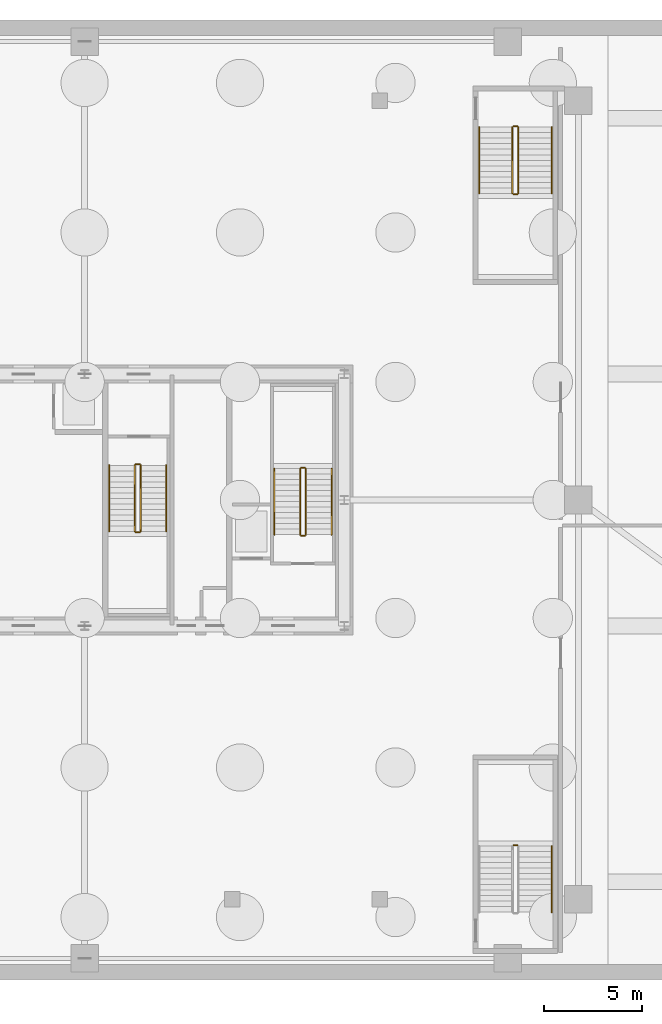
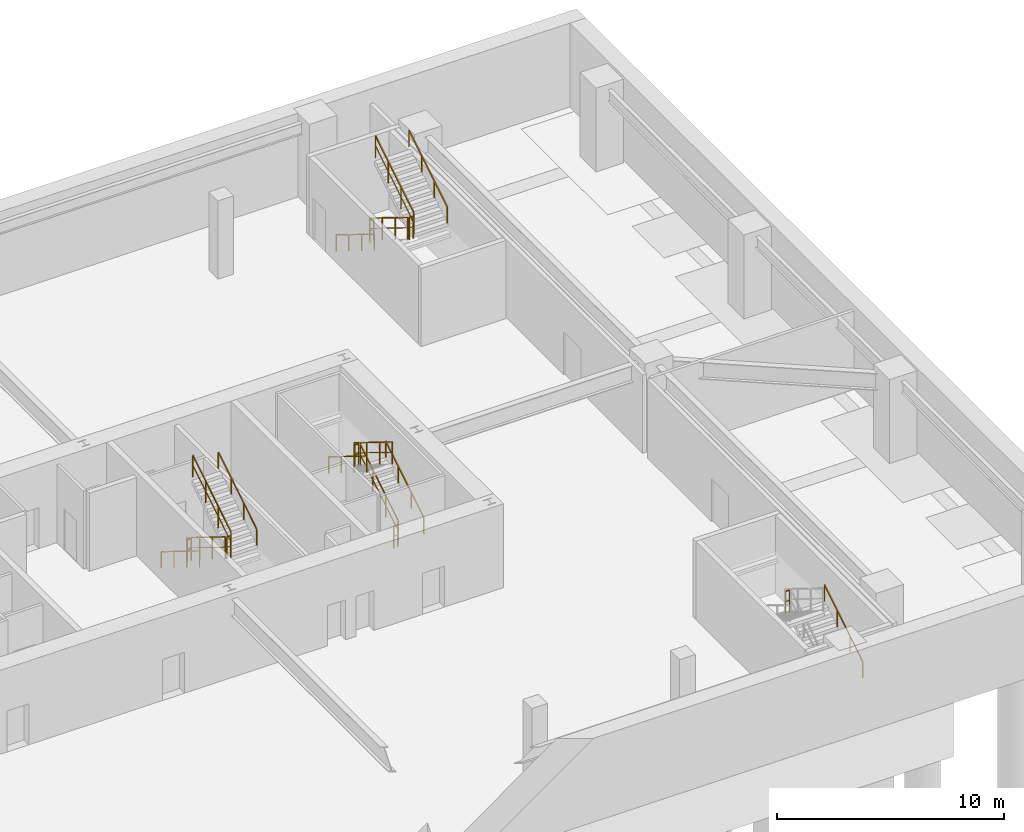
# One storey, part 9 of 10: 20 railings.
"""IFC4 building model written with IfcOpenShell, lengths in metres."""

from ifc_helpers import new_model, si_unit, direction, frame, origin, origin_2d, place, context, subcontext, project, spatial, rectangle, extrude, source, transform, mapped, material, layer, layer_set, type_object, element, save


model = new_model("IFC4")

# Units and contexts
model_context = context("Model", 3, precision=1e-05, world=origin(), true_north=direction((0.0, 1.0)))
body_context = subcontext(model_context, "Body", "Model", "MODEL_VIEW")
ifc_project = project(units=[si_unit("LENGTHUNIT", "METRE"), si_unit("AREAUNIT", "SQUARE_METRE"), si_unit("VOLUMEUNIT", "CUBIC_METRE"), si_unit("PLANEANGLEUNIT", "RADIAN"), si_unit("MASSUNIT", "GRAM", prefix="KILO"), si_unit("THERMODYNAMICTEMPERATUREUNIT", "KELVIN"), si_unit("POWERUNIT", "WATT")], contexts=[model_context])

# Site, building, storey
site_placement = place(None, origin())
site = spatial("IfcSite", under=ifc_project, at=site_placement, CompositionType="ELEMENT")
building_placement = place(site_placement, origin())
building = spatial("IfcBuilding", under=site, at=building_placement, Name="Yuzanri Waterfront Tower", CompositionType="ELEMENT")
storey_placement = place(building_placement, frame((0.0, 0.0, -9.0)))
storey = spatial("IfcBuildingStorey", under=building, at=storey_placement, Name="B02", CompositionType="ELEMENT", Elevation=-9.0)

# Railings
ifc_material_1 = material(Name="Painted Galvanized Fire Steel", Category="steel")
ifc_layer_1 = layer(ifc_material_1, 0.06005859375)
ifc_layer_set_1 = layer_set([ifc_layer_1], Name="Painted Galvanized Fire Steel")
railing_type_1 = type_object("IfcRailingType", Name="Painted Steel Stairwell Guardrail 1120", PredefinedType="GUARDRAIL", material=ifc_layer_set_1)
shared_shape_1 = source(origin(), body_context, "Body", "SweptSolid", [
    extrude(rectangle(XDim=0.050048828125, YDim=0.050048828125, at=origin_2d()), frame((0.0, 0.0, 1.1748046875), z_axis=(0.0, 0.850606129759, 0.525803396734), x_axis=(-1.0, 0.0, 0.0)), (0.0, 0.0, 1.0), 3.949951171875),
    extrude(rectangle(XDim=0.035888671875, YDim=0.030029296875, at=origin_2d()), frame((0.0, 0.0, 0.6240234375), z_axis=(0.0, 0.850606129759, 0.525803396734), x_axis=(-1.0, 0.0, 0.0)), (0.0, 0.0, 1.0), 3.949951171875),
    extrude(rectangle(XDim=0.0458984375, YDim=0.0458984375, at=origin_2d()), origin(), (0.0, 0.0, 1.0), 1.14990234375),
    extrude(rectangle(XDim=0.0458984375, YDim=0.0458984375, at=origin_2d()), frame((0.0, 1.119873046875, 0.6923828125)), (0.0, 0.0, 1.0), 1.14990234375),
    extrude(rectangle(XDim=0.0458984375, YDim=0.0458984375, at=origin_2d()), frame((0.0, 2.239990234375, 1.384521484375)), (0.0, 0.0, 1.0), 1.14990234375),
    extrude(rectangle(XDim=0.0458984375, YDim=0.0458984375, at=origin_2d()), frame((0.0, 3.35986328125, 2.076904296875)), (0.0, 0.0, 1.0), 1.14990234375),
])
railing_1_placement = place(storey_placement, frame((48.25, 24.0400390625, 0.173095703125)))
element("IfcRailing", 1, at=railing_1_placement, inside=storey, type_object=railing_type_1, Name="B02 ST-02 stair guard 1", PredefinedType="GUARDRAIL", context=body_context, shape_type="MappedRepresentation", body=[
    mapped(shared_shape_1, transform((0.0, 0.0, 0.0), scale=1.0)),
])
shared_shape_2 = source(origin(), body_context, "Body", "SweptSolid", [
    extrude(rectangle(XDim=0.050048828125, YDim=0.050048828125, at=origin_2d()), frame((0.0, 0.0, 1.1748046875), z_axis=(-1.0, 0.0, 0.0), x_axis=(0.0, -1.0, 0.0)), (0.0, 0.0, 1.0), 0.199951171875),
    extrude(rectangle(XDim=0.035888671875, YDim=0.030029296875, at=origin_2d()), frame((0.0, 0.0, 0.6240234375), z_axis=(-1.0, 0.0, 0.0), x_axis=(0.0, -1.0, 0.0)), (0.0, 0.0, 1.0), 0.199951171875),
    extrude(rectangle(XDim=0.0458984375, YDim=0.0458984375, at=origin_2d()), origin(), (0.0, 0.0, 1.0), 1.14990234375),
    extrude(rectangle(XDim=0.0458984375, YDim=0.0458984375, at=origin_2d()), frame((-0.199951171875, 0.0, 0.0)), (0.0, 0.0, 1.0), 1.14990234375),
])
for number, where, name in (
    (2, (48.199951171875, 27.449951171875, 2.25), "B02 ST-02 stair guard 2"),
    (3, (48.199951171875, 23.989990234375, 0.0), "B02 ST-02 stair guard 4"),
    (4, (59.0, 8.260009765625, 2.25), "B02 PST-02 stair guard 2"),
):
    element("IfcRailing", number, at=place(storey_placement, frame(where)), inside=storey, type_object=railing_type_1, Name=name, PredefinedType="GUARDRAIL", context=body_context, shape_type="MappedRepresentation", body=[
        mapped(shared_shape_2, transform((0.0, 0.0, 0.0), scale=1.0)),
    ])
shared_shape_3 = source(origin(), body_context, "Body", "SweptSolid", [
    extrude(rectangle(XDim=0.050048828125, YDim=0.050048828125, at=origin_2d()), frame((0.0, 0.0, 1.1748046875), z_axis=(0.0, -0.850606129759, 0.525803396734), x_axis=(1.0, 0.0, 0.0)), (0.0, 0.0, 1.0), 3.949951171875),
    extrude(rectangle(XDim=0.035888671875, YDim=0.030029296875, at=origin_2d()), frame((0.0, 0.0, 0.6240234375), z_axis=(0.0, -0.850606129759, 0.525803396734), x_axis=(1.0, 0.0, 0.0)), (0.0, 0.0, 1.0), 3.949951171875),
    extrude(rectangle(XDim=0.0458984375, YDim=0.0458984375, at=origin_2d()), origin(), (0.0, 0.0, 1.0), 1.14990234375),
    extrude(rectangle(XDim=0.0458984375, YDim=0.0458984375, at=origin_2d()), frame((0.0, -1.119873046875, 0.6923828125)), (0.0, 0.0, 1.0), 1.14990234375),
    extrude(rectangle(XDim=0.0458984375, YDim=0.0458984375, at=origin_2d()), frame((0.0, -2.239990234375, 1.384521484375)), (0.0, 0.0, 1.0), 1.14990234375),
    extrude(rectangle(XDim=0.0458984375, YDim=0.0458984375, at=origin_2d()), frame((0.0, -3.35986328125, 2.076904296875)), (0.0, 0.0, 1.0), 1.14990234375),
])
railing_2_placement = place(storey_placement, frame((47.949951171875, 27.39990234375, 2.423095703125)))
element("IfcRailing", 5, at=railing_2_placement, inside=storey, type_object=railing_type_1, Name="B02 ST-02 stair guard 3", PredefinedType="GUARDRAIL", context=body_context, shape_type="MappedRepresentation", body=[
    mapped(shared_shape_3, transform((0.0, 0.0, 0.0), scale=1.0)),
])
ifc_material_2 = material(Name="Anodized Architectural Bronze", Category="metal")
ifc_layer_2 = layer(ifc_material_2, 0.050048828125)
ifc_layer_set_2 = layer_set([ifc_layer_2], Name="Anodized Architectural Bronze")
railing_type_2 = type_object("IfcRailingType", Name="Brushed Bronze Stair Pitch Handrail 920", PredefinedType="HANDRAIL", material=ifc_layer_set_2)
shared_shape_4 = source(origin(), body_context, "Body", "SweptSolid", [
    extrude(rectangle(XDim=0.050048828125, YDim=0.050048828125, at=origin_2d()), frame((0.0, 0.0, 0.875), z_axis=(0.0, 0.850606129759, 0.525803396734), x_axis=(-1.0, 0.0, 0.0)), (0.0, 0.0, 1.0), 3.949951171875),
    extrude(rectangle(XDim=0.0458984375, YDim=0.0458984375, at=origin_2d()), origin(), (0.0, 0.0, 1.0), 0.849853515625),
    extrude(rectangle(XDim=0.0458984375, YDim=0.0458984375, at=origin_2d()), frame((0.0, 1.119873046875, 0.6923828125)), (0.0, 0.0, 1.0), 0.849853515625),
    extrude(rectangle(XDim=0.0458984375, YDim=0.0458984375, at=origin_2d()), frame((0.0, 2.239990234375, 1.384521484375)), (0.0, 0.0, 1.0), 0.849853515625),
    extrude(rectangle(XDim=0.0458984375, YDim=0.0458984375, at=origin_2d()), frame((0.0, 3.35986328125, 2.076904296875)), (0.0, 0.0, 1.0), 0.849853515625),
])
for number, where, name in (
    (6, (49.550048828125, 24.0400390625, 0.173095703125), "B02 ST-02 stair handrail 1"),
    (7, (60.75, 4.85009765625, 0.173095703125), "B02 PST-02 stair handrail 1"),
):
    element("IfcRailing", number, at=place(storey_placement, frame(where)), inside=storey, type_object=railing_type_2, Name=name, PredefinedType="HANDRAIL", context=body_context, shape_type="MappedRepresentation", body=[
        mapped(shared_shape_4, transform((0.0, 0.0, 0.0), scale=1.0)),
    ])
shared_shape_5 = source(origin(), body_context, "Body", "SweptSolid", [
    extrude(rectangle(XDim=0.050048828125, YDim=0.050048828125, at=origin_2d()), frame((0.0, 0.0, 0.875), z_axis=(0.0, -0.850606129759, 0.525803396734), x_axis=(1.0, 0.0, 0.0)), (0.0, 0.0, 1.0), 3.949951171875),
    extrude(rectangle(XDim=0.0458984375, YDim=0.0458984375, at=origin_2d()), origin(), (0.0, 0.0, 1.0), 0.849853515625),
    extrude(rectangle(XDim=0.0458984375, YDim=0.0458984375, at=origin_2d()), frame((0.0, -1.119873046875, 0.6923828125)), (0.0, 0.0, 1.0), 0.849853515625),
    extrude(rectangle(XDim=0.0458984375, YDim=0.0458984375, at=origin_2d()), frame((0.0, -2.239990234375, 1.384521484375)), (0.0, 0.0, 1.0), 0.849853515625),
    extrude(rectangle(XDim=0.0458984375, YDim=0.0458984375, at=origin_2d()), frame((0.0, -3.35986328125, 2.076904296875)), (0.0, 0.0, 1.0), 0.849853515625),
])
railing_3_placement = place(storey_placement, frame((46.64990234375, 27.39990234375, 2.423095703125)))
element("IfcRailing", 8, at=railing_3_placement, inside=storey, type_object=railing_type_2, Name="B02 ST-02 stair handrail 2", PredefinedType="HANDRAIL", context=body_context, shape_type="MappedRepresentation", body=[
    mapped(shared_shape_5, transform((0.0, 0.0, 0.0), scale=1.0)),
])
shared_shape_6 = source(origin(), body_context, "Body", "SweptSolid", [
    extrude(rectangle(XDim=0.050048828125, YDim=0.050048828125, at=origin_2d()), frame((0.0, 0.0, 1.1748046875), z_axis=(0.0, -0.850623216509, 0.525775754039), x_axis=(1.0, 0.0, 0.0)), (0.0, 0.0, 1.0), 3.9501953125),
    extrude(rectangle(XDim=0.035888671875, YDim=0.030029296875, at=origin_2d()), frame((0.0, 0.0, 0.6240234375), z_axis=(0.0, -0.850623216509, 0.525775754039), x_axis=(1.0, 0.0, 0.0)), (0.0, 0.0, 1.0), 3.9501953125),
    extrude(rectangle(XDim=0.0458984375, YDim=0.0458984375, at=origin_2d()), origin(), (0.0, 0.0, 1.0), 1.14990234375),
    extrude(rectangle(XDim=0.0458984375, YDim=0.0458984375, at=origin_2d()), frame((0.0, -1.1201171875, 0.6923828125)), (0.0, 0.0, 1.0), 1.14990234375),
    extrude(rectangle(XDim=0.0458984375, YDim=0.0458984375, at=origin_2d()), frame((0.0, -2.239990234375, 1.384521484375)), (0.0, 0.0, 1.0), 1.14990234375),
    extrude(rectangle(XDim=0.0458984375, YDim=0.0458984375, at=origin_2d()), frame((0.0, -3.360107421875, 2.076904296875)), (0.0, 0.0, 1.0), 1.14990234375),
])
for number, where, name in (
    (9, (39.550048828125, 27.56005859375, 0.173095703125), "B02 ST-03 stair guard 1"),
    (10, (58.75, 44.75, 0.173095703125), "B02 PST-03 stair guard 1"),
):
    element("IfcRailing", number, at=place(storey_placement, frame(where)), inside=storey, type_object=railing_type_1, Name=name, PredefinedType="GUARDRAIL", context=body_context, shape_type="MappedRepresentation", body=[
        mapped(shared_shape_6, transform((0.0, 0.0, 0.0), scale=1.0)),
    ])
shared_shape_7 = source(origin(), body_context, "Body", "SweptSolid", [
    extrude(rectangle(XDim=0.050048828125, YDim=0.050048828125, at=origin_2d()), frame((0.0, 0.0, 1.1748046875), z_axis=(1.0, 0.0, 0.0), x_axis=(0.0, 1.0, 0.0)), (0.0, 0.0, 1.0), 0.199951171875),
    extrude(rectangle(XDim=0.035888671875, YDim=0.030029296875, at=origin_2d()), frame((0.0, 0.0, 0.6240234375), z_axis=(1.0, 0.0, 0.0), x_axis=(0.0, 1.0, 0.0)), (0.0, 0.0, 1.0), 0.199951171875),
    extrude(rectangle(XDim=0.0458984375, YDim=0.0458984375, at=origin_2d()), origin(), (0.0, 0.0, 1.0), 1.14990234375),
    extrude(rectangle(XDim=0.0458984375, YDim=0.0458984375, at=origin_2d()), frame((0.199951171875, 0.0, 0.0)), (0.0, 0.0, 1.0), 1.14990234375),
])
for number, where, name in (
    (11, (39.60009765625, 24.14990234375, 2.25), "B02 ST-03 stair guard 2"),
    (12, (39.60009765625, 27.610107421875, 0.0), "B02 ST-03 stair guard 4"),
    (13, (58.800048828125, 41.340087890625, 2.25), "B02 PST-03 stair guard 2"),
    (14, (58.800048828125, 44.800048828125, 0.0), "B02 PST-03 stair guard 4"),
):
    element("IfcRailing", number, at=place(storey_placement, frame(where)), inside=storey, type_object=railing_type_1, Name=name, PredefinedType="GUARDRAIL", context=body_context, shape_type="MappedRepresentation", body=[
        mapped(shared_shape_7, transform((0.0, 0.0, 0.0), scale=1.0)),
    ])
shared_shape_8 = source(origin(), body_context, "Body", "SweptSolid", [
    extrude(rectangle(XDim=0.050048828125, YDim=0.050048828125, at=origin_2d()), frame((0.0, 0.0, 1.1748046875), z_axis=(0.0, 0.850623216509, 0.525775754039), x_axis=(-1.0, 0.0, 0.0)), (0.0, 0.0, 1.0), 3.9501953125),
    extrude(rectangle(XDim=0.035888671875, YDim=0.030029296875, at=origin_2d()), frame((0.0, 0.0, 0.6240234375), z_axis=(0.0, 0.850623216509, 0.525775754039), x_axis=(-1.0, 0.0, 0.0)), (0.0, 0.0, 1.0), 3.9501953125),
    extrude(rectangle(XDim=0.0458984375, YDim=0.0458984375, at=origin_2d()), origin(), (0.0, 0.0, 1.0), 1.14990234375),
    extrude(rectangle(XDim=0.0458984375, YDim=0.0458984375, at=origin_2d()), frame((0.0, 1.1201171875, 0.6923828125)), (0.0, 0.0, 1.0), 1.14990234375),
    extrude(rectangle(XDim=0.0458984375, YDim=0.0458984375, at=origin_2d()), frame((0.0, 2.239990234375, 1.384521484375)), (0.0, 0.0, 1.0), 1.14990234375),
    extrude(rectangle(XDim=0.0458984375, YDim=0.0458984375, at=origin_2d()), frame((0.0, 3.360107421875, 2.076904296875)), (0.0, 0.0, 1.0), 1.14990234375),
])
for number, where, name in (
    (15, (39.85009765625, 24.199951171875, 2.423095703125), "B02 ST-03 stair guard 3"),
    (16, (59.050048828125, 41.389892578125, 2.423095703125), "B02 PST-03 stair guard 3"),
):
    element("IfcRailing", number, at=place(storey_placement, frame(where)), inside=storey, type_object=railing_type_1, Name=name, PredefinedType="GUARDRAIL", context=body_context, shape_type="MappedRepresentation", body=[
        mapped(shared_shape_8, transform((0.0, 0.0, 0.0), scale=1.0)),
    ])
shared_shape_9 = source(origin(), body_context, "Body", "SweptSolid", [
    extrude(rectangle(XDim=0.050048828125, YDim=0.050048828125, at=origin_2d()), frame((0.0, 0.0, 0.875), z_axis=(0.0, -0.850623216509, 0.525775754039), x_axis=(1.0, 0.0, 0.0)), (0.0, 0.0, 1.0), 3.9501953125),
    extrude(rectangle(XDim=0.0458984375, YDim=0.0458984375, at=origin_2d()), origin(), (0.0, 0.0, 1.0), 0.849853515625),
    extrude(rectangle(XDim=0.0458984375, YDim=0.0458984375, at=origin_2d()), frame((0.0, -1.1201171875, 0.6923828125)), (0.0, 0.0, 1.0), 0.849853515625),
    extrude(rectangle(XDim=0.0458984375, YDim=0.0458984375, at=origin_2d()), frame((0.0, -2.239990234375, 1.384521484375)), (0.0, 0.0, 1.0), 0.849853515625),
    extrude(rectangle(XDim=0.0458984375, YDim=0.0458984375, at=origin_2d()), frame((0.0, -3.360107421875, 2.076904296875)), (0.0, 0.0, 1.0), 0.849853515625),
])
for number, where, name in (
    (17, (38.25, 27.56005859375, 0.173095703125), "B02 ST-03 stair handrail 1"),
    (18, (57.050048828125, 44.75, 0.173095703125), "B02 PST-03 stair handrail 1"),
):
    element("IfcRailing", number, at=place(storey_placement, frame(where)), inside=storey, type_object=railing_type_2, Name=name, PredefinedType="HANDRAIL", context=body_context, shape_type="MappedRepresentation", body=[
        mapped(shared_shape_9, transform((0.0, 0.0, 0.0), scale=1.0)),
    ])
shared_shape_10 = source(origin(), body_context, "Body", "SweptSolid", [
    extrude(rectangle(XDim=0.050048828125, YDim=0.050048828125, at=origin_2d()), frame((0.0, 0.0, 0.875), z_axis=(0.0, 0.850623216509, 0.525775754039), x_axis=(-1.0, 0.0, 0.0)), (0.0, 0.0, 1.0), 3.9501953125),
    extrude(rectangle(XDim=0.0458984375, YDim=0.0458984375, at=origin_2d()), origin(), (0.0, 0.0, 1.0), 0.849853515625),
    extrude(rectangle(XDim=0.0458984375, YDim=0.0458984375, at=origin_2d()), frame((0.0, 1.1201171875, 0.6923828125)), (0.0, 0.0, 1.0), 0.849853515625),
    extrude(rectangle(XDim=0.0458984375, YDim=0.0458984375, at=origin_2d()), frame((0.0, 2.239990234375, 1.384521484375)), (0.0, 0.0, 1.0), 0.849853515625),
    extrude(rectangle(XDim=0.0458984375, YDim=0.0458984375, at=origin_2d()), frame((0.0, 3.360107421875, 2.076904296875)), (0.0, 0.0, 1.0), 0.849853515625),
])
for number, where, name in (
    (19, (41.14990234375, 24.199951171875, 2.423095703125), "B02 ST-03 stair handrail 2"),
    (20, (60.75, 41.389892578125, 2.423095703125), "B02 PST-03 stair handrail 2"),
):
    element("IfcRailing", number, at=place(storey_placement, frame(where)), inside=storey, type_object=railing_type_2, Name=name, PredefinedType="HANDRAIL", context=body_context, shape_type="MappedRepresentation", body=[
        mapped(shared_shape_10, transform((0.0, 0.0, 0.0), scale=1.0)),
    ])

save(model, "model.ifc")
